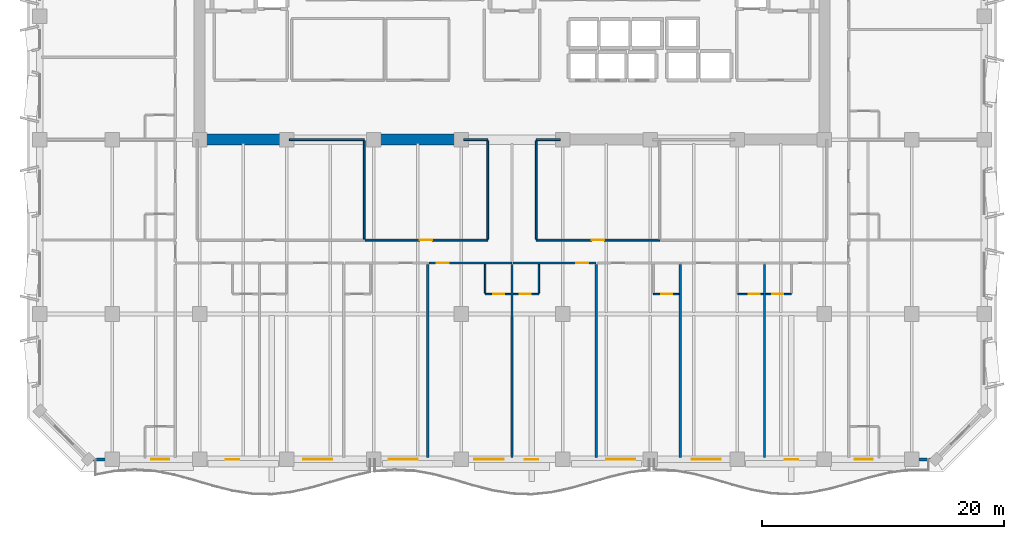
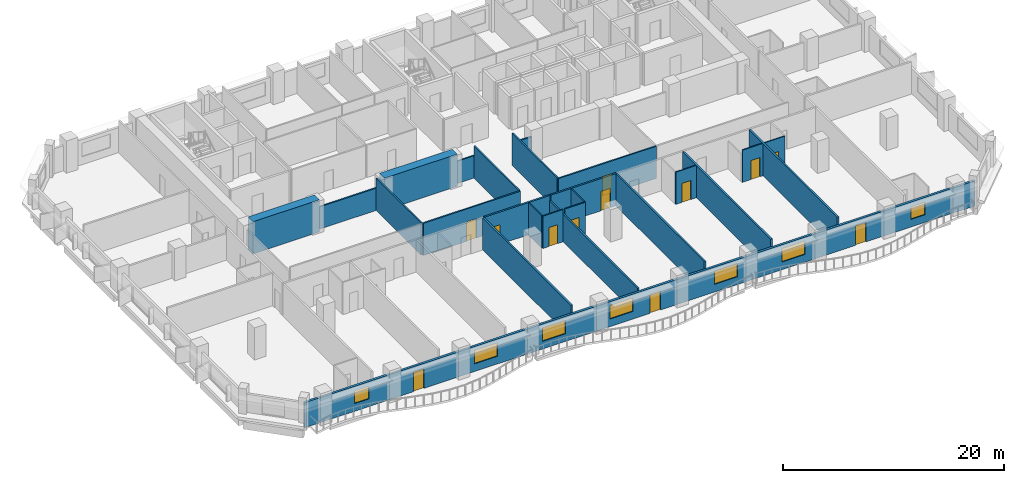
# One storey, part 5 of 14: 25 walls, 12 doors, 7 windows, 19 openings.
"""IFC4 building model written with IfcOpenShell, lengths in metres."""

from ifc_helpers import new_model, si_unit, direction, frame, frame_2d, origin, place, context, subcontext, project, spatial, rectangle, extrude, material, layer, layer_set, type_object, element, fill, save


model = new_model("IFC4")

# Units and contexts
model_context = context("Model", 3, precision=1e-05, world=origin(), true_north=direction((0.0, 1.0)))
body_context = subcontext(model_context, "Body", "Model", "MODEL_VIEW")
ifc_project = project(units=[si_unit("LENGTHUNIT", "METRE"), si_unit("AREAUNIT", "SQUARE_METRE"), si_unit("VOLUMEUNIT", "CUBIC_METRE"), si_unit("PLANEANGLEUNIT", "RADIAN"), si_unit("MASSUNIT", "GRAM", prefix="KILO")], contexts=[model_context])

# Site, building, storey
site_placement = place(None, origin())
site = spatial("IfcSite", under=ifc_project, at=site_placement, CompositionType="ELEMENT")
building_placement = place(site_placement, origin())
building = spatial("IfcBuilding", under=site, at=building_placement, Name="Kaelvorn Grand Hotel", CompositionType="ELEMENT")
storey_placement = place(building_placement, frame((0.0, 0.0, 165.75)))
storey = spatial("IfcBuildingStorey", under=building, at=storey_placement, Name="L40", CompositionType="ELEMENT", Elevation=165.75)

# Walls
ifc_material_1 = material(Name="Concrete C60/75", Category="concrete")
ifc_layer_1 = layer(ifc_material_1, 0.89990234375)
ifc_layer_set_1 = layer_set([ifc_layer_1], Name="Concrete C60/75")
wall_type_1 = type_object("IfcWallType", Name="WL-CORE-900-C60", PredefinedType="SHEAR", material=ifc_layer_set_1)
wall_1_placement = place(storey_placement, frame((16.655029296875, 29.39990234375, 0.0), z_axis=(0.0, 0.0, 1.0), x_axis=(1.0, 0.0, 0.0)))
element("IfcWall", 1, at=wall_1_placement, inside=storey, type_object=wall_type_1, Name="L40 Rear-Core Coupled Shear Pier S1", PredefinedType="SHEAR", context=body_context, shape_type="SweptSolid", body=[
    extrude(rectangle(XDim=6.945068359375, YDim=0.89990234375, at=frame_2d((3.47265625, 0.0))), origin(), (0.0, 0.0, 1.0), 3.56005859375),
])
wall_2_placement = place(storey_placement, frame((30.39990234375, 29.39990234375, 0.0), z_axis=(0.0, 0.0, 1.0), x_axis=(1.0, 0.0, 0.0)))
element("IfcWall", 2, at=wall_2_placement, inside=storey, type_object=wall_type_1, Name="L40 Rear-Core Coupled Shear Pier S2", PredefinedType="SHEAR", context=body_context, shape_type="SweptSolid", body=[
    extrude(rectangle(XDim=7.60009765625, YDim=0.89990234375, at=frame_2d((3.800048828125, 0.0))), origin(), (0.0, 0.0, 1.0), 3.56005859375),
])

# Wall, openings, doors, windows
ifc_material_2 = material(Name="Concrete C40/50", Category="concrete")
ifc_layer_2 = layer(ifc_material_2, 0.239990234375)
ifc_layer_set_2 = layer_set([ifc_layer_2], Name="Concrete C40/50")
wall_type_2 = type_object("IfcWallType", Name="WL-EXT-240-C40", PredefinedType="SOLIDWALL", material=ifc_layer_set_2)
wall_3_placement = place(storey_placement, frame((7.0, 3.0, 0.0), z_axis=(0.0, 0.0, 1.0), x_axis=(1.0, 0.0, 0.0)))
wall_3 = element("IfcWall", 3, at=wall_3_placement, inside=storey, type_object=wall_type_2, Name="L40 Exterior Architectural Concrete Wall 01", PredefinedType="SOLIDWALL", context=body_context, shape_type="SweptSolid", body=[
    extrude(rectangle(XDim=70.0, YDim=0.239990234375, at=frame_2d((35.0, 0.0))), origin(), (0.0, 0.0, 1.0), 2.760009765625),
])
opening_1_placement = place(wall_3_placement, frame((11.38330078125, 0.0, 0.0)))
opening_1 = element("IfcOpeningElement", 4, at=opening_1_placement, cuts=wall_3, Name="Opening DE2", PredefinedType="OPENING", context=body_context, shape_type="SweptSolid", body=[
    extrude(rectangle(XDim=1.10009765625, YDim=2.14990234375, at=frame_2d((0.550048828125, 1.074951171875))), frame((0.0, 0.1298828125, 0.0), z_axis=(0.0, -1.0, 0.0), x_axis=(1.0, 0.0, 0.0)), (0.0, 0.0, 1.0), 0.260009765625),
])
opening_2_placement = place(wall_3_placement, frame((36.069091796875, 0.0, 0.0)))
opening_2 = element("IfcOpeningElement", 5, at=opening_2_placement, cuts=wall_3, Name="Opening DE2", PredefinedType="OPENING", context=body_context, shape_type="SweptSolid", body=[
    extrude(rectangle(XDim=1.10009765625, YDim=2.14990234375, at=frame_2d((0.550048828125, 1.074951171875))), frame((0.0, 0.1298828125, 0.0), z_axis=(0.0, -1.0, 0.0), x_axis=(1.0, 0.0, 0.0)), (0.0, 0.0, 1.0), 0.260009765625),
])
opening_3_placement = place(wall_3_placement, frame((57.5166015625, 0.0, 0.0)))
opening_3 = element("IfcOpeningElement", 6, at=opening_3_placement, cuts=wall_3, Name="Opening DE2", PredefinedType="OPENING", context=body_context, shape_type="SweptSolid", body=[
    extrude(rectangle(XDim=1.10009765625, YDim=2.14990234375, at=frame_2d((0.550048828125, 1.074951171875))), frame((0.0, 0.1298828125, 0.0), z_axis=(0.0, -1.0, 0.0), x_axis=(1.0, 0.0, 0.0)), (0.0, 0.0, 1.0), 0.260009765625),
])
opening_4_placement = place(wall_3_placement, frame((5.199951171875, 0.0, 0.85009765625)))
opening_4 = element("IfcOpeningElement", 7, at=opening_4_placement, cuts=wall_3, Name="Opening W10", PredefinedType="OPENING", context=body_context, shape_type="SweptSolid", body=[
    extrude(rectangle(XDim=1.5, YDim=1.39990234375, at=frame_2d((0.75, 0.699951171875))), frame((0.0, 0.1298828125, 0.0), z_axis=(0.0, -1.0, 0.0), x_axis=(1.0, 0.0, 0.0)), (0.0, 0.0, 1.0), 0.260009765625),
])
opening_5_placement = place(wall_3_placement, frame((17.75, 0.0, 0.85009765625)))
opening_5 = element("IfcOpeningElement", 8, at=opening_5_placement, cuts=wall_3, Name="Opening W6", PredefinedType="OPENING", context=body_context, shape_type="SweptSolid", body=[
    extrude(rectangle(XDim=2.39990234375, YDim=1.5, at=frame_2d((1.199951171875, 0.75))), frame((0.0, 0.1298828125, 0.0), z_axis=(0.0, -1.0, 0.0), x_axis=(1.0, 0.0, 0.0)), (0.0, 0.0, 1.0), 0.260009765625),
])
opening_6_placement = place(wall_3_placement, frame((24.824951171875, 0.0, 0.85009765625)))
opening_6 = element("IfcOpeningElement", 9, at=opening_6_placement, cuts=wall_3, Name="Opening W6", PredefinedType="OPENING", context=body_context, shape_type="SweptSolid", body=[
    extrude(rectangle(XDim=2.39990234375, YDim=1.5, at=frame_2d((1.199951171875, 0.75))), frame((0.0, 0.1298828125, 0.0), z_axis=(0.0, -1.0, 0.0), x_axis=(1.0, 0.0, 0.0)), (0.0, 0.0, 1.0), 0.260009765625),
])
opening_7_placement = place(wall_3_placement, frame((31.89990234375, 0.0, 0.85009765625)))
opening_7 = element("IfcOpeningElement", 10, at=opening_7_placement, cuts=wall_3, Name="Opening W6", PredefinedType="OPENING", context=body_context, shape_type="SweptSolid", body=[
    extrude(rectangle(XDim=2.39990234375, YDim=1.5, at=frame_2d((1.199951171875, 0.75))), frame((0.0, 0.1298828125, 0.0), z_axis=(0.0, -1.0, 0.0), x_axis=(1.0, 0.0, 0.0)), (0.0, 0.0, 1.0), 0.260009765625),
])
opening_8_placement = place(wall_3_placement, frame((42.77490234375, 0.0, 0.85009765625)))
opening_8 = element("IfcOpeningElement", 11, at=opening_8_placement, cuts=wall_3, Name="Opening W6", PredefinedType="OPENING", context=body_context, shape_type="SweptSolid", body=[
    extrude(rectangle(XDim=2.39990234375, YDim=1.5, at=frame_2d((1.199951171875, 0.75))), frame((0.0, 0.1298828125, 0.0), z_axis=(0.0, -1.0, 0.0), x_axis=(1.0, 0.0, 0.0)), (0.0, 0.0, 1.0), 0.260009765625),
])
opening_9_placement = place(wall_3_placement, frame((49.85009765625, 0.0, 0.85009765625)))
opening_9 = element("IfcOpeningElement", 12, at=opening_9_placement, cuts=wall_3, Name="Opening W6", PredefinedType="OPENING", context=body_context, shape_type="SweptSolid", body=[
    extrude(rectangle(XDim=2.39990234375, YDim=1.5, at=frame_2d((1.199951171875, 0.75))), frame((0.0, 0.1298828125, 0.0), z_axis=(0.0, -1.0, 0.0), x_axis=(1.0, 0.0, 0.0)), (0.0, 0.0, 1.0), 0.260009765625),
])
opening_10_placement = place(wall_3_placement, frame((63.300048828125, 0.0, 0.85009765625)))
opening_10 = element("IfcOpeningElement", 13, at=opening_10_placement, cuts=wall_3, Name="Opening W10", PredefinedType="OPENING", context=body_context, shape_type="SweptSolid", body=[
    extrude(rectangle(XDim=1.5, YDim=1.39990234375, at=frame_2d((0.75, 0.699951171875))), frame((0.0, 0.1298828125, 0.0), z_axis=(0.0, -1.0, 0.0), x_axis=(1.0, 0.0, 0.0)), (0.0, 0.0, 1.0), 0.260009765625),
])
ifc_material_3 = material(Name="Anodised Aluminium", Category="aluminium")
door_type_1 = type_object("IfcDoorType", Name="DR-EXT-BALC-1100x2150", OperationType="NOTDEFINED", PredefinedType="DOOR", material=ifc_material_3)
door_1_placement = place(opening_1_placement, origin())
door_1 = element("IfcDoor", 14, at=door_1_placement, inside=storey, type_object=door_type_1, Name="L40 Scalloped Balcony Glazed Door DE2-1", OperationType="SINGLE_SWING_RIGHT", OverallHeight=2.14990234375, OverallWidth=1.10009765625, PredefinedType="DOOR", context=body_context, shape_type="SweptSolid", body=[
    extrude(rectangle(XDim=1.10009765625, YDim=2.14990234375, at=frame_2d((0.550048828125, 1.074951171875))), frame((0.0, 0.02490234375, 0.0), z_axis=(0.0, -1.0, 0.0), x_axis=(1.0, 0.0, 0.0)), (0.0, 0.0, 1.0), 0.050048828125),
])
fill(opening_1, door_1)
door_2_placement = place(opening_2_placement, origin())
door_2 = element("IfcDoor", 15, at=door_2_placement, inside=storey, type_object=door_type_1, Name="L40 Scalloped Balcony Glazed Door DE2-2", OperationType="SINGLE_SWING_LEFT", OverallHeight=2.14990234375, OverallWidth=1.10009765625, PredefinedType="DOOR", context=body_context, shape_type="SweptSolid", body=[
    extrude(rectangle(XDim=1.10009765625, YDim=2.14990234375, at=frame_2d((0.550048828125, 1.074951171875))), frame((0.0, 0.02490234375, 0.0), z_axis=(0.0, -1.0, 0.0), x_axis=(1.0, 0.0, 0.0)), (0.0, 0.0, 1.0), 0.050048828125),
])
fill(opening_2, door_2)
door_3_placement = place(opening_3_placement, origin())
door_3 = element("IfcDoor", 16, at=door_3_placement, inside=storey, type_object=door_type_1, Name="L40 Scalloped Balcony Glazed Door DE2-3", OperationType="SINGLE_SWING_RIGHT", OverallHeight=2.14990234375, OverallWidth=1.10009765625, PredefinedType="DOOR", context=body_context, shape_type="SweptSolid", body=[
    extrude(rectangle(XDim=1.10009765625, YDim=2.14990234375, at=frame_2d((0.550048828125, 1.074951171875))), frame((0.0, 0.02490234375, 0.0), z_axis=(0.0, -1.0, 0.0), x_axis=(1.0, 0.0, 0.0)), (0.0, 0.0, 1.0), 0.050048828125),
])
fill(opening_3, door_3)
ifc_material_4 = material(Name="Laminated Low-E Glass", Category="glass")
window_type_1 = type_object("IfcWindowType", Name="WIN-COR-1500x1400", PartitioningType="SINGLE_PANEL", PredefinedType="WINDOW", material=ifc_material_4)
window_1_placement = place(opening_4_placement, origin())
window_1 = element("IfcWindow", 17, at=window_1_placement, inside=storey, type_object=window_type_1, Name="L40 South Guestroom Ribbon Window SR01", OverallHeight=1.39990234375, OverallWidth=1.5, PartitioningType="SINGLE_PANEL", PredefinedType="WINDOW", context=body_context, shape_type="SweptSolid", body=[
    extrude(rectangle(XDim=1.5, YDim=1.39990234375, at=frame_2d((0.75, 0.699951171875))), frame((0.0, 0.030029296875, 0.0), z_axis=(0.0, -1.0, 0.0), x_axis=(1.0, 0.0, 0.0)), (0.0, 0.0, 1.0), 0.06005859375),
])
fill(opening_4, window_1)
window_2_placement = place(opening_10_placement, origin())
window_2 = element("IfcWindow", 18, at=window_2_placement, inside=storey, type_object=window_type_1, Name="L40 South Guestroom Ribbon Window SR07", OverallHeight=1.39990234375, OverallWidth=1.5, PartitioningType="SINGLE_PANEL", PredefinedType="WINDOW", context=body_context, shape_type="SweptSolid", body=[
    extrude(rectangle(XDim=1.5, YDim=1.39990234375, at=frame_2d((0.75, 0.699951171875))), frame((0.0, 0.030029296875, 0.0), z_axis=(0.0, -1.0, 0.0), x_axis=(1.0, 0.0, 0.0)), (0.0, 0.0, 1.0), 0.06005859375),
])
fill(opening_10, window_2)
window_type_2 = type_object("IfcWindowType", Name="WIN-NTH-2400x1500", PartitioningType="SINGLE_PANEL", PredefinedType="WINDOW", material=ifc_material_4)
window_3_placement = place(opening_5_placement, origin())
window_3 = element("IfcWindow", 19, at=window_3_placement, inside=storey, type_object=window_type_2, Name="L40 South Guestroom Ribbon Window SR02", OverallHeight=1.5, OverallWidth=2.39990234375, PartitioningType="SINGLE_PANEL", PredefinedType="WINDOW", context=body_context, shape_type="SweptSolid", body=[
    extrude(rectangle(XDim=2.39990234375, YDim=1.5, at=frame_2d((1.199951171875, 0.75))), frame((0.0, 0.030029296875, 0.0), z_axis=(0.0, -1.0, 0.0), x_axis=(1.0, 0.0, 0.0)), (0.0, 0.0, 1.0), 0.06005859375),
])
fill(opening_5, window_3)
window_4_placement = place(opening_6_placement, origin())
window_4 = element("IfcWindow", 20, at=window_4_placement, inside=storey, type_object=window_type_2, Name="L40 South Guestroom Ribbon Window SR03", OverallHeight=1.5, OverallWidth=2.39990234375, PartitioningType="SINGLE_PANEL", PredefinedType="WINDOW", context=body_context, shape_type="SweptSolid", body=[
    extrude(rectangle(XDim=2.39990234375, YDim=1.5, at=frame_2d((1.199951171875, 0.75))), frame((0.0, 0.030029296875, 0.0), z_axis=(0.0, -1.0, 0.0), x_axis=(1.0, 0.0, 0.0)), (0.0, 0.0, 1.0), 0.06005859375),
])
fill(opening_6, window_4)
window_5_placement = place(opening_7_placement, origin())
window_5 = element("IfcWindow", 21, at=window_5_placement, inside=storey, type_object=window_type_2, Name="L40 South Guestroom Ribbon Window SR04", OverallHeight=1.5, OverallWidth=2.39990234375, PartitioningType="SINGLE_PANEL", PredefinedType="WINDOW", context=body_context, shape_type="SweptSolid", body=[
    extrude(rectangle(XDim=2.39990234375, YDim=1.5, at=frame_2d((1.199951171875, 0.75))), frame((0.0, 0.030029296875, 0.0), z_axis=(0.0, -1.0, 0.0), x_axis=(1.0, 0.0, 0.0)), (0.0, 0.0, 1.0), 0.06005859375),
])
fill(opening_7, window_5)
window_6_placement = place(opening_8_placement, origin())
window_6 = element("IfcWindow", 22, at=window_6_placement, inside=storey, type_object=window_type_2, Name="L40 South Guestroom Ribbon Window SR05", OverallHeight=1.5, OverallWidth=2.39990234375, PartitioningType="SINGLE_PANEL", PredefinedType="WINDOW", context=body_context, shape_type="SweptSolid", body=[
    extrude(rectangle(XDim=2.39990234375, YDim=1.5, at=frame_2d((1.199951171875, 0.75))), frame((0.0, 0.030029296875, 0.0), z_axis=(0.0, -1.0, 0.0), x_axis=(1.0, 0.0, 0.0)), (0.0, 0.0, 1.0), 0.06005859375),
])
fill(opening_8, window_6)
window_7_placement = place(opening_9_placement, origin())
window_7 = element("IfcWindow", 23, at=window_7_placement, inside=storey, type_object=window_type_2, Name="L40 South Guestroom Ribbon Window SR06", OverallHeight=1.5, OverallWidth=2.39990234375, PartitioningType="SINGLE_PANEL", PredefinedType="WINDOW", context=body_context, shape_type="SweptSolid", body=[
    extrude(rectangle(XDim=2.39990234375, YDim=1.5, at=frame_2d((1.199951171875, 0.75))), frame((0.0, 0.030029296875, 0.0), z_axis=(0.0, -1.0, 0.0), x_axis=(1.0, 0.0, 0.0)), (0.0, 0.0, 1.0), 0.06005859375),
])
fill(opening_9, window_7)

# Wall, opening, door
ifc_material_5 = material(Name="Moisture-Resistant Tile & Stud Board")
ifc_layer_3 = layer(ifc_material_5, 0.125)
ifc_layer_set_3 = layer_set([ifc_layer_3], Name="Moisture-Resistant Tile & Stud Board")
wall_type_3 = type_object("IfcWallType", Name="WL-PART-125-WET", PredefinedType="PARTITIONING", material=ifc_layer_set_3)
wall_4_placement = place(storey_placement, frame((39.780029296875, 16.64990234375, 0.0), z_axis=(0.0, 0.0, 1.0), x_axis=(1.0, 0.0, 0.0)))
wall_4 = element("IfcWall", 24, at=wall_4_placement, inside=storey, type_object=wall_type_3, Name="L40 En-suite Bathroom L40-04 S Partition", PredefinedType="PARTITIONING", context=body_context, shape_type="SweptSolid", body=[
    extrude(rectangle(XDim=2.125, YDim=0.125, at=frame_2d((1.0625, 0.0))), origin(), (0.0, 0.0, 1.0), 3.56005859375),
])
opening_11_placement = place(wall_4_placement, frame((0.659912109375, 0.0, 0.0)))
opening_11 = element("IfcOpeningElement", 25, at=opening_11_placement, cuts=wall_4, Name="Opening DI4", PredefinedType="OPENING", context=body_context, shape_type="SweptSolid", body=[
    extrude(rectangle(XDim=0.89990234375, YDim=2.10009765625, at=frame_2d((0.449951171875, 1.050048828125))), frame((0.0, 0.072509765625, 0.0), z_axis=(0.0, -1.0, 0.0), x_axis=(1.0, 0.0, 0.0)), (0.0, 0.0, 1.0), 0.14501953125),
])
ifc_material_6 = material(Name="Timber Veneer Leaf", Category="wood")
door_type_2 = type_object("IfcDoorType", Name="DR-INT-BATH-900x2100", OperationType="NOTDEFINED", PredefinedType="DOOR", material=ifc_material_6)
door_4_placement = place(opening_11_placement, origin())
door_4 = element("IfcDoor", 26, at=door_4_placement, inside=storey, type_object=door_type_2, Name="L40 En-suite Bathroom L40-04 Door", OperationType="SINGLE_SWING_LEFT", OverallHeight=2.10009765625, OverallWidth=0.89990234375, PredefinedType="DOOR", context=body_context, shape_type="SweptSolid", body=[
    extrude(rectangle(XDim=0.89990234375, YDim=2.10009765625, at=frame_2d((0.449951171875, 1.050048828125))), frame((0.0, 0.02490234375, 0.0), z_axis=(0.0, -1.0, 0.0), x_axis=(1.0, 0.0, 0.0)), (0.0, 0.0, 1.0), 0.050048828125),
])
fill(opening_11, door_4)

# Wall
wall_5_placement = place(storey_placement, frame((39.780029296875, 16.717529296875, 0.0), z_axis=(0.0, 0.0, 1.0), x_axis=(0.0, 1.0, 0.0)))
element("IfcWall", 27, at=wall_5_placement, inside=storey, type_object=wall_type_3, Name="L40 En-suite Bathroom L40-04 W Partition", PredefinedType="PARTITIONING", context=body_context, shape_type="SweptSolid", body=[
    extrude(rectangle(XDim=2.387451171875, YDim=0.125, at=frame_2d((1.19384765625, 0.0))), origin(), (0.0, 0.0, 1.0), 3.56005859375),
])

# Wall, opening, door
wall_6_placement = place(storey_placement, frame((42.094970703125, 16.64990234375, 0.0), z_axis=(0.0, 0.0, 1.0), x_axis=(1.0, 0.0, 0.0)))
wall_6 = element("IfcWall", 28, at=wall_6_placement, inside=storey, type_object=wall_type_3, Name="L40 En-suite Bathroom L40-05 S Partition", PredefinedType="PARTITIONING", context=body_context, shape_type="SweptSolid", body=[
    extrude(rectangle(XDim=2.125, YDim=0.125, at=frame_2d((1.0625, 0.0))), origin(), (0.0, 0.0, 1.0), 3.56005859375),
])
opening_12_placement = place(wall_6_placement, frame((0.56494140625, 0.0, 0.0)))
opening_12 = element("IfcOpeningElement", 29, at=opening_12_placement, cuts=wall_6, Name="Opening DI4", PredefinedType="OPENING", context=body_context, shape_type="SweptSolid", body=[
    extrude(rectangle(XDim=0.89990234375, YDim=2.10009765625, at=frame_2d((0.449951171875, 1.050048828125))), frame((0.0, 0.072509765625, 0.0), z_axis=(0.0, -1.0, 0.0), x_axis=(1.0, 0.0, 0.0)), (0.0, 0.0, 1.0), 0.14501953125),
])
door_5_placement = place(opening_12_placement, origin())
door_5 = element("IfcDoor", 30, at=door_5_placement, inside=storey, type_object=door_type_2, Name="L40 En-suite Bathroom L40-05 Door", OperationType="SINGLE_SWING_LEFT", OverallHeight=2.10009765625, OverallWidth=0.89990234375, PredefinedType="DOOR", context=body_context, shape_type="SweptSolid", body=[
    extrude(rectangle(XDim=0.89990234375, YDim=2.10009765625, at=frame_2d((0.449951171875, 1.050048828125))), frame((0.0, 0.02490234375, 0.0), z_axis=(0.0, -1.0, 0.0), x_axis=(1.0, 0.0, 0.0)), (0.0, 0.0, 1.0), 0.050048828125),
])
fill(opening_12, door_5)

# Wall
wall_7_placement = place(storey_placement, frame((44.219970703125, 16.717529296875, 0.0), z_axis=(0.0, 0.0, 1.0), x_axis=(0.0, 1.0, 0.0)))
element("IfcWall", 31, at=wall_7_placement, inside=storey, type_object=wall_type_3, Name="L40 En-suite Bathroom L40-05 E Partition", PredefinedType="PARTITIONING", context=body_context, shape_type="SweptSolid", body=[
    extrude(rectangle(XDim=2.387451171875, YDim=0.125, at=frame_2d((1.19384765625, 0.0))), origin(), (0.0, 0.0, 1.0), 3.56005859375),
])

# Wall, opening, door
wall_8_placement = place(storey_placement, frame((53.679931640625, 16.64990234375, 0.0), z_axis=(0.0, 0.0, 1.0), x_axis=(1.0, 0.0, 0.0)))
wall_8 = element("IfcWall", 32, at=wall_8_placement, inside=storey, type_object=wall_type_3, Name="L40 En-suite Bathroom L40-06 S Partition", PredefinedType="PARTITIONING", context=body_context, shape_type="SweptSolid", body=[
    extrude(rectangle(XDim=2.125, YDim=0.125, at=frame_2d((1.0625, 0.0))), origin(), (0.0, 0.0, 1.0), 3.56005859375),
])
opening_13_placement = place(wall_8_placement, frame((0.659912109375, 0.0, 0.0)))
opening_13 = element("IfcOpeningElement", 33, at=opening_13_placement, cuts=wall_8, Name="Opening DI4", PredefinedType="OPENING", context=body_context, shape_type="SweptSolid", body=[
    extrude(rectangle(XDim=0.89990234375, YDim=2.10009765625, at=frame_2d((0.449951171875, 1.050048828125))), frame((0.0, 0.072509765625, 0.0), z_axis=(0.0, -1.0, 0.0), x_axis=(1.0, 0.0, 0.0)), (0.0, 0.0, 1.0), 0.14501953125),
])
door_6_placement = place(opening_13_placement, origin())
door_6 = element("IfcDoor", 34, at=door_6_placement, inside=storey, type_object=door_type_2, Name="L40 En-suite Bathroom L40-06 Door", OperationType="SINGLE_SWING_LEFT", OverallHeight=2.10009765625, OverallWidth=0.89990234375, PredefinedType="DOOR", context=body_context, shape_type="SweptSolid", body=[
    extrude(rectangle(XDim=0.89990234375, YDim=2.10009765625, at=frame_2d((0.449951171875, 1.050048828125))), frame((0.0, 0.02490234375, 0.0), z_axis=(0.0, -1.0, 0.0), x_axis=(1.0, 0.0, 0.0)), (0.0, 0.0, 1.0), 0.050048828125),
])
fill(opening_13, door_6)

wall_9_placement = place(storey_placement, frame((60.6298828125, 16.64990234375, 0.0), z_axis=(0.0, 0.0, 1.0), x_axis=(1.0, 0.0, 0.0)))
wall_9 = element("IfcWall", 35, at=wall_9_placement, inside=storey, type_object=wall_type_3, Name="L40 En-suite Bathroom L40-07 S Partition", PredefinedType="PARTITIONING", context=body_context, shape_type="SweptSolid", body=[
    extrude(rectangle(XDim=2.125, YDim=0.125, at=frame_2d((1.0625, 0.0))), origin(), (0.0, 0.0, 1.0), 3.56005859375),
])
opening_14_placement = place(wall_9_placement, frame((0.909912109375, 0.0, 0.0)))
opening_14 = element("IfcOpeningElement", 36, at=opening_14_placement, cuts=wall_9, Name="Opening DI4", PredefinedType="OPENING", context=body_context, shape_type="SweptSolid", body=[
    extrude(rectangle(XDim=0.89990234375, YDim=2.10009765625, at=frame_2d((0.449951171875, 1.050048828125))), frame((0.0, 0.072509765625, 0.0), z_axis=(0.0, -1.0, 0.0), x_axis=(1.0, 0.0, 0.0)), (0.0, 0.0, 1.0), 0.14501953125),
])
door_7_placement = place(opening_14_placement, origin())
door_7 = element("IfcDoor", 37, at=door_7_placement, inside=storey, type_object=door_type_2, Name="L40 En-suite Bathroom L40-07 Door", OperationType="SINGLE_SWING_LEFT", OverallHeight=2.10009765625, OverallWidth=0.89990234375, PredefinedType="DOOR", context=body_context, shape_type="SweptSolid", body=[
    extrude(rectangle(XDim=0.89990234375, YDim=2.10009765625, at=frame_2d((0.449951171875, 1.050048828125))), frame((0.0, 0.02490234375, 0.0), z_axis=(0.0, -1.0, 0.0), x_axis=(1.0, 0.0, 0.0)), (0.0, 0.0, 1.0), 0.050048828125),
])
fill(opening_14, door_7)

wall_10_placement = place(storey_placement, frame((62.945068359375, 16.64990234375, 0.0), z_axis=(0.0, 0.0, 1.0), x_axis=(1.0, 0.0, 0.0)))
wall_10 = element("IfcWall", 38, at=wall_10_placement, inside=storey, type_object=wall_type_3, Name="L40 En-suite Bathroom L40-08 S Partition", PredefinedType="PARTITIONING", context=body_context, shape_type="SweptSolid", body=[
    extrude(rectangle(XDim=2.125, YDim=0.125, at=frame_2d((1.0625, 0.0))), origin(), (0.0, 0.0, 1.0), 3.56005859375),
])
opening_15_placement = place(wall_10_placement, frame((0.56494140625, 0.0, 0.0)))
opening_15 = element("IfcOpeningElement", 39, at=opening_15_placement, cuts=wall_10, Name="Opening DI4", PredefinedType="OPENING", context=body_context, shape_type="SweptSolid", body=[
    extrude(rectangle(XDim=0.89990234375, YDim=2.10009765625, at=frame_2d((0.449951171875, 1.050048828125))), frame((0.0, 0.072509765625, 0.0), z_axis=(0.0, -1.0, 0.0), x_axis=(1.0, 0.0, 0.0)), (0.0, 0.0, 1.0), 0.14501953125),
])
door_8_placement = place(opening_15_placement, origin())
door_8 = element("IfcDoor", 40, at=door_8_placement, inside=storey, type_object=door_type_2, Name="L40 En-suite Bathroom L40-08 Door", OperationType="SINGLE_SWING_LEFT", OverallHeight=2.10009765625, OverallWidth=0.89990234375, PredefinedType="DOOR", context=body_context, shape_type="SweptSolid", body=[
    extrude(rectangle(XDim=0.89990234375, YDim=2.10009765625, at=frame_2d((0.449951171875, 1.050048828125))), frame((0.0, 0.02490234375, 0.0), z_axis=(0.0, -1.0, 0.0), x_axis=(1.0, 0.0, 0.0)), (0.0, 0.0, 1.0), 0.050048828125),
])
fill(opening_15, door_8)

# Walls
ifc_material_7 = material(Name="Acoustic Gypsum & Stud Partition")
ifc_layer_4 = layer(ifc_material_7, 0.14990234375)
ifc_layer_set_4 = layer_set([ifc_layer_4], Name="Acoustic Gypsum & Stud Partition")
wall_type_4 = type_object("IfcWallType", Name="WL-PART-150-EI60", PredefinedType="PARTITIONING", material=ifc_layer_set_4)
wall_11_placement = place(storey_placement, frame((23.610107421875, 29.39990234375, 0.0), z_axis=(0.0, 0.0, 1.0), x_axis=(1.0, 0.0, 0.0)))
element("IfcWall", 41, at=wall_11_placement, inside=storey, type_object=wall_type_4, Name="L40 Wellness Spa Salon N Partition", PredefinedType="PARTITIONING", context=body_context, shape_type="SweptSolid", body=[
    extrude(rectangle(XDim=6.18994140625, YDim=0.14990234375, at=frame_2d((3.094970703125, 0.0))), origin(), (0.0, 0.0, 1.0), 2.4599609375),
])
wall_12_placement = place(storey_placement, frame((29.800048828125, 21.179931640625, 0.0), z_axis=(0.0, 0.0, 1.0), x_axis=(0.0, 1.0, 0.0)))
element("IfcWall", 42, at=wall_12_placement, inside=storey, type_object=wall_type_4, Name="L40 Wellness Spa Salon E Partition", PredefinedType="PARTITIONING", context=body_context, shape_type="SweptSolid", body=[
    extrude(rectangle(XDim=8.14013671875, YDim=0.14990234375, at=frame_2d((4.070068359375, 0.0))), origin(), (0.0, 0.0, 1.0), 3.56005859375),
])

# Wall, opening, door
wall_13_placement = place(storey_placement, frame((29.8798828125, 21.10009765625, 0.0), z_axis=(0.0, 0.0, 1.0), x_axis=(1.0, 0.0, 0.0)))
wall_13 = element("IfcWall", 43, at=wall_13_placement, inside=storey, type_object=wall_type_4, Name="L40 Guest Pantry Kitchen S Partition", PredefinedType="PARTITIONING", context=body_context, shape_type="SweptSolid", body=[
    extrude(rectangle(XDim=10.1201171875, YDim=0.14990234375, at=frame_2d((5.06005859375, 0.0))), origin(), (0.0, 0.0, 1.0), 3.56005859375),
])
opening_16_placement = place(wall_13_placement, frame((4.52001953125, 0.0, 0.0)))
opening_16 = element("IfcOpeningElement", 44, at=opening_16_placement, cuts=wall_13, Name="Opening DI3", PredefinedType="OPENING", context=body_context, shape_type="SweptSolid", body=[
    extrude(rectangle(XDim=1.0, YDim=2.14990234375, at=frame_2d((0.5, 1.074951171875))), frame((0.0, 0.0849609375, 0.0), z_axis=(0.0, -1.0, 0.0), x_axis=(1.0, 0.0, 0.0)), (0.0, 0.0, 1.0), 0.169921875),
])
ifc_material_8 = material(Name="Timber Veneer Fire Leaf", Category="wood")
door_type_3 = type_object("IfcDoorType", Name="DR-INT-GUEST-1000x2150", OperationType="NOTDEFINED", PredefinedType="DOOR", material=ifc_material_8)
door_9_placement = place(opening_16_placement, origin())
door_9 = element("IfcDoor", 45, at=door_9_placement, inside=storey, type_object=door_type_3, Name="L40 Guest Pantry Kitchen Door", OperationType="SINGLE_SWING_LEFT", OverallHeight=2.14990234375, OverallWidth=1.0, PredefinedType="DOOR", context=body_context, shape_type="SweptSolid", body=[
    extrude(rectangle(XDim=1.0, YDim=2.14990234375, at=frame_2d((0.5, 1.074951171875))), frame((0.0, 0.02490234375, 0.0), z_axis=(0.0, -1.0, 0.0), x_axis=(1.0, 0.0, 0.0)), (0.0, 0.0, 1.0), 0.050048828125),
])
fill(opening_16, door_9)

# Walls
wall_14_placement = place(storey_placement, frame((38.010009765625, 29.39990234375, 0.0), z_axis=(0.0, 0.0, 1.0), x_axis=(1.0, 0.0, 0.0)))
element("IfcWall", 46, at=wall_14_placement, inside=storey, type_object=wall_type_4, Name="L40 Guest Pantry Kitchen N Partition (2)", PredefinedType="PARTITIONING", context=body_context, shape_type="SweptSolid", body=[
    extrude(rectangle(XDim=1.989990234375, YDim=0.14990234375, at=frame_2d((0.9951171875, 0.0))), origin(), (0.0, 0.0, 1.0), 2.4599609375),
])
wall_15_placement = place(storey_placement, frame((40.0, 21.179931640625, 0.0), z_axis=(0.0, 0.0, 1.0), x_axis=(0.0, 1.0, 0.0)))
element("IfcWall", 47, at=wall_15_placement, inside=storey, type_object=wall_type_4, Name="L40 Guest Pantry Kitchen E Partition", PredefinedType="PARTITIONING", context=body_context, shape_type="SweptSolid", body=[
    extrude(rectangle(XDim=8.14013671875, YDim=0.14990234375, at=frame_2d((4.070068359375, 0.0))), origin(), (0.0, 0.0, 1.0), 3.56005859375),
])

# Wall, opening, door
wall_16_placement = place(storey_placement, frame((44.0, 21.10009765625, 0.0), z_axis=(0.0, 0.0, 1.0), x_axis=(1.0, 0.0, 0.0)))
wall_16 = element("IfcWall", 48, at=wall_16_placement, inside=storey, type_object=wall_type_4, Name="L40 Diplomatic Living Room S Partition", PredefinedType="PARTITIONING", context=body_context, shape_type="SweptSolid", body=[
    extrude(rectangle(XDim=10.199951171875, YDim=0.14990234375, at=frame_2d((5.10009765625, 0.0))), origin(), (0.0, 0.0, 1.0), 3.56005859375),
])
opening_17_placement = place(wall_16_placement, frame((4.60009765625, 0.0, 0.0)))
opening_17 = element("IfcOpeningElement", 49, at=opening_17_placement, cuts=wall_16, Name="Opening DI3", PredefinedType="OPENING", context=body_context, shape_type="SweptSolid", body=[
    extrude(rectangle(XDim=1.0, YDim=2.14990234375, at=frame_2d((0.5, 1.074951171875))), frame((0.0, 0.0849609375, 0.0), z_axis=(0.0, -1.0, 0.0), x_axis=(1.0, 0.0, 0.0)), (0.0, 0.0, 1.0), 0.169921875),
])
door_10_placement = place(opening_17_placement, origin())
door_10 = element("IfcDoor", 50, at=door_10_placement, inside=storey, type_object=door_type_3, Name="L40 Diplomatic Living Room Door", OperationType="SINGLE_SWING_RIGHT", OverallHeight=2.14990234375, OverallWidth=1.0, PredefinedType="DOOR", context=body_context, shape_type="SweptSolid", body=[
    extrude(rectangle(XDim=1.0, YDim=2.14990234375, at=frame_2d((0.5, 1.074951171875))), frame((0.0, 0.02490234375, 0.0), z_axis=(0.0, -1.0, 0.0), x_axis=(1.0, 0.0, 0.0)), (0.0, 0.0, 1.0), 0.050048828125),
])
fill(opening_17, door_10)

# Walls
wall_17_placement = place(storey_placement, frame((44.0, 29.39990234375, 0.0), z_axis=(0.0, 0.0, 1.0), x_axis=(1.0, 0.0, 0.0)))
element("IfcWall", 51, at=wall_17_placement, inside=storey, type_object=wall_type_4, Name="L40 Diplomatic Living Room N Partition (1)", PredefinedType="PARTITIONING", context=body_context, shape_type="SweptSolid", body=[
    extrude(rectangle(XDim=1.989990234375, YDim=0.14990234375, at=frame_2d((0.9951171875, 0.0))), origin(), (0.0, 0.0, 1.0), 2.4599609375),
])
wall_18_placement = place(storey_placement, frame((44.0, 21.179931640625, 0.0), z_axis=(0.0, 0.0, 1.0), x_axis=(0.0, 1.0, 0.0)))
element("IfcWall", 52, at=wall_18_placement, inside=storey, type_object=wall_type_4, Name="L40 Diplomatic Living Room W Partition", PredefinedType="PARTITIONING", context=body_context, shape_type="SweptSolid", body=[
    extrude(rectangle(XDim=8.14013671875, YDim=0.14990234375, at=frame_2d((4.070068359375, 0.0))), origin(), (0.0, 0.0, 1.0), 3.56005859375),
])
ifc_layer_5 = layer(ifc_material_7, 0.179931640625)
ifc_layer_set_5 = layer_set([ifc_layer_5], Name="Acoustic Gypsum & Stud Partition")
wall_type_5 = type_object("IfcWallType", Name="WL-PART-180-EI60", PredefinedType="PARTITIONING", material=ifc_layer_set_5)
wall_19_placement = place(storey_placement, frame((35.050048828125, 3.14990234375, 0.0), z_axis=(0.0, 0.0, 1.0), x_axis=(0.0, 1.0, 0.0)))
element("IfcWall", 53, at=wall_19_placement, inside=storey, type_object=wall_type_5, Name="L40 Mid-Rise Signature Suite L40-03 E Partition", PredefinedType="PARTITIONING", context=body_context, shape_type="SweptSolid", body=[
    extrude(rectangle(XDim=15.955078125, YDim=0.179931640625, at=frame_2d((7.9775390625, 0.0))), origin(), (0.0, 0.0, 1.0), 3.56005859375),
])

# Wall, opening, door
wall_20_placement = place(storey_placement, frame((35.14501953125, 19.199951171875, 0.0), z_axis=(0.0, 0.0, 1.0), x_axis=(1.0, 0.0, 0.0)))
wall_20 = element("IfcWall", 54, at=wall_20_placement, inside=storey, type_object=wall_type_5, Name="L40 Mid-Rise Signature Suite L40-04 N Partition", PredefinedType="PARTITIONING", context=body_context, shape_type="SweptSolid", body=[
    extrude(rectangle(XDim=6.85498046875, YDim=0.179931640625, at=frame_2d((3.427490234375, 0.0))), origin(), (0.0, 0.0, 1.0), 3.56005859375),
])
opening_18_placement = place(wall_20_placement, frame((0.64990234375, 0.0, 0.0)))
opening_18 = element("IfcOpeningElement", 55, at=opening_18_placement, cuts=wall_20, Name="Opening DI3", PredefinedType="OPENING", context=body_context, shape_type="SweptSolid", body=[
    extrude(rectangle(XDim=1.0, YDim=2.14990234375, at=frame_2d((0.5, 1.074951171875))), frame((0.0, 0.10009765625, 0.0), z_axis=(0.0, -1.0, 0.0), x_axis=(1.0, 0.0, 0.0)), (0.0, 0.0, 1.0), 0.199951171875),
])
door_11_placement = place(opening_18_placement, origin())
door_11 = element("IfcDoor", 56, at=door_11_placement, inside=storey, type_object=door_type_3, Name="L40 Mid-Rise Signature Suite L40-04 Door", OperationType="SINGLE_SWING_RIGHT", OverallHeight=2.14990234375, OverallWidth=1.0, PredefinedType="DOOR", context=body_context, shape_type="SweptSolid", body=[
    extrude(rectangle(XDim=1.0, YDim=2.14990234375, at=frame_2d((0.5, 1.074951171875))), frame((0.0, 0.02490234375, 0.0), z_axis=(0.0, -1.0, 0.0), x_axis=(1.0, 0.0, 0.0)), (0.0, 0.0, 1.0), 0.050048828125),
])
fill(opening_18, door_11)

# Wall
wall_21_placement = place(storey_placement, frame((42.0, 3.14990234375, 0.0), z_axis=(0.0, 0.0, 1.0), x_axis=(0.0, 1.0, 0.0)))
element("IfcWall", 57, at=wall_21_placement, inside=storey, type_object=wall_type_5, Name="L40 Mid-Rise Signature Suite L40-04 E Partition", PredefinedType="PARTITIONING", context=body_context, shape_type="SweptSolid", body=[
    extrude(rectangle(XDim=15.955078125, YDim=0.179931640625, at=frame_2d((7.9775390625, 0.0))), origin(), (0.0, 0.0, 1.0), 3.010009765625),
])

# Wall, opening, door
wall_22_placement = place(storey_placement, frame((42.094970703125, 19.199951171875, 0.0), z_axis=(0.0, 0.0, 1.0), x_axis=(1.0, 0.0, 0.0)))
wall_22 = element("IfcWall", 58, at=wall_22_placement, inside=storey, type_object=wall_type_5, Name="L40 Mid-Rise Signature Suite L40-05 N Partition", PredefinedType="PARTITIONING", context=body_context, shape_type="SweptSolid", body=[
    extrude(rectangle(XDim=6.85498046875, YDim=0.179931640625, at=frame_2d((3.427490234375, 0.0))), origin(), (0.0, 0.0, 1.0), 3.56005859375),
])
opening_19_placement = place(wall_22_placement, frame((5.205078125, 0.0, 0.0)))
opening_19 = element("IfcOpeningElement", 59, at=opening_19_placement, cuts=wall_22, Name="Opening DI3", PredefinedType="OPENING", context=body_context, shape_type="SweptSolid", body=[
    extrude(rectangle(XDim=1.0, YDim=2.14990234375, at=frame_2d((0.5, 1.074951171875))), frame((0.0, 0.10009765625, 0.0), z_axis=(0.0, -1.0, 0.0), x_axis=(1.0, 0.0, 0.0)), (0.0, 0.0, 1.0), 0.199951171875),
])
door_12_placement = place(opening_19_placement, origin())
door_12 = element("IfcDoor", 60, at=door_12_placement, inside=storey, type_object=door_type_3, Name="L40 Mid-Rise Signature Suite L40-05 Door", OperationType="SINGLE_SWING_RIGHT", OverallHeight=2.14990234375, OverallWidth=1.0, PredefinedType="DOOR", context=body_context, shape_type="SweptSolid", body=[
    extrude(rectangle(XDim=1.0, YDim=2.14990234375, at=frame_2d((0.5, 1.074951171875))), frame((0.0, 0.02490234375, 0.0), z_axis=(0.0, -1.0, 0.0), x_axis=(1.0, 0.0, 0.0)), (0.0, 0.0, 1.0), 0.050048828125),
])
fill(opening_19, door_12)

# Walls
for number, where, z_axis, x_axis, name in (
    (61, (48.949951171875, 3.14990234375, 0.0), (0.0, 0.0, 1.0), (0.0, 1.0, 0.0), "L40 Mid-Rise Signature Suite L40-05 E Partition"),
    (62, (55.89990234375, 3.14990234375, 0.0), (0.0, 0.0, 1.0), (0.0, 1.0, 0.0), "L40 Mid-Rise Signature Suite L40-06 E Partition"),
    (63, (62.85009765625, 3.14990234375, 0.0), (0.0, 0.0, 1.0), (0.0, 1.0, 0.0), "L40 Mid-Rise Signature Suite L40-07 E Partition"),
):
    element("IfcWall", number, at=place(storey_placement, frame(where, z_axis=z_axis, x_axis=x_axis)), inside=storey, type_object=wall_type_5, Name=name, PredefinedType="PARTITIONING", context=body_context, shape_type="SweptSolid", body=[
        extrude(rectangle(XDim=15.955078125, YDim=0.179931640625, at=frame_2d((7.9775390625, 0.0))), origin(), (0.0, 0.0, 1.0), 3.56005859375),
    ])

save(model, "model.ifc")
